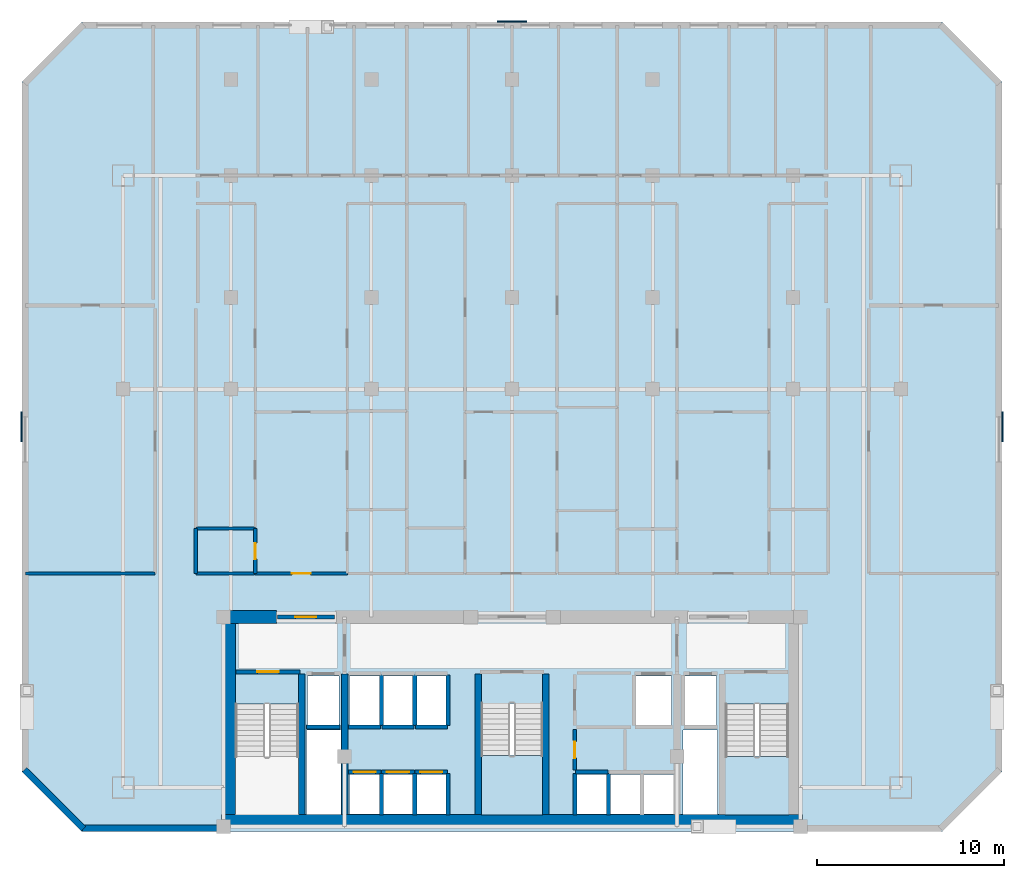
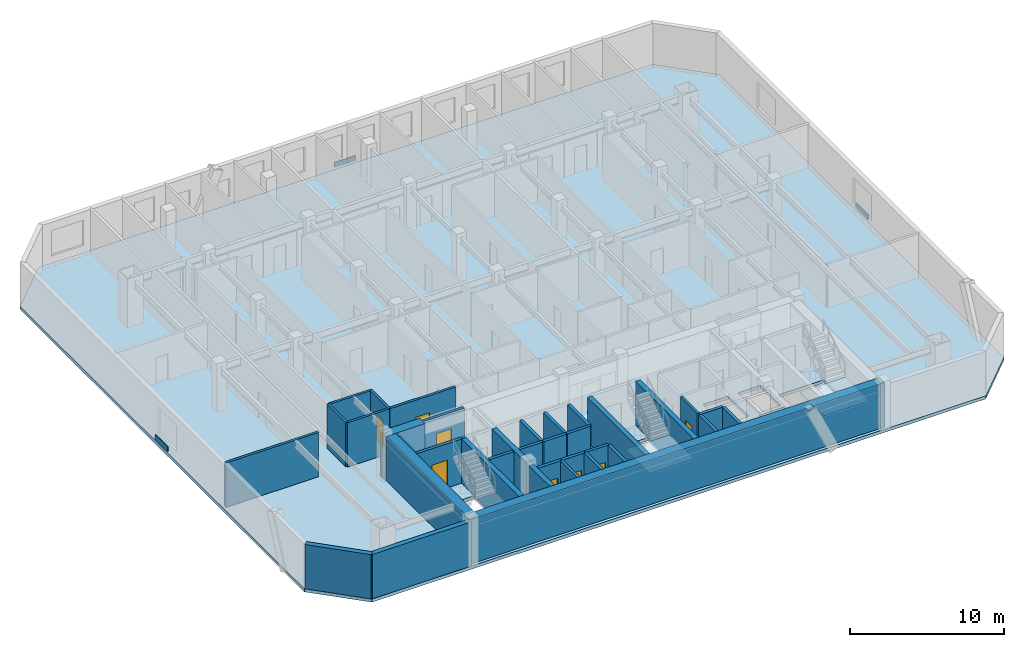
# One storey, part 2 of 8: 34 walls, 8 doors, 3 plates, 3 slabs, 8 openings, 2 elements without a shape of their own.
"""IFC4 building model written with IfcOpenShell, lengths in metres."""

from ifc_helpers import new_model, si_unit, direction, frame, frame_2d, origin, origin_2d, place, context, subcontext, project, spatial, polyline, rectangle, outline, extrude, material, layer, layer_set, type_object, element, fill, aggregate, save


model = new_model("IFC4")

# Units and contexts
model_context = context("Model", 3, precision=1e-05, world=origin(), true_north=direction((0.0, 1.0)))
body_context = subcontext(model_context, "Body", "Model", "MODEL_VIEW")
ifc_project = project(units=[si_unit("LENGTHUNIT", "METRE"), si_unit("AREAUNIT", "SQUARE_METRE"), si_unit("VOLUMEUNIT", "CUBIC_METRE"), si_unit("PLANEANGLEUNIT", "RADIAN"), si_unit("MASSUNIT", "GRAM", prefix="KILO")], contexts=[model_context])

# Site, building, storey
site_placement = place(None, origin())
site = spatial("IfcSite", under=ifc_project, at=site_placement, CompositionType="ELEMENT")
building_placement = place(site_placement, origin())
building = spatial("IfcBuilding", under=site, at=building_placement, Name="Ventersveld Concourse Tower", CompositionType="ELEMENT")
storey_placement = place(building_placement, frame((0.0, 0.0, 131.10009765625)))
storey = spatial("IfcBuildingStorey", under=building, at=storey_placement, Name="L32", CompositionType="ELEMENT", Elevation=131.10009765625)

# Plates
ifc_material_1 = material(Name="Precast concrete C45/55", Category="concrete")
ifc_layer_1 = layer(ifc_material_1, 0.080078125)
ifc_layer_set_1 = layer_set([ifc_layer_1], Name="Precast concrete C45/55")
plate_type = type_object("IfcPlateType", Name="PL-SPAND-80", PredefinedType="SHEET", material=ifc_layer_set_1)
for number, where, z_axis, x_axis, name in (
    (1, (54.919921875, 21.60009765625, 0.169921875), (0.0, 0.0, 1.0), (0.0, 1.0, 0.0), "L32 Litema Bas-Relief Precast Spandrel Cassette 1"),
    (2, (28.75, 43.219970703125, 0.169921875), (0.0, 0.0, 1.0), (-1.0, 0.0, 0.0), "L32 Litema Bas-Relief Precast Spandrel Cassette 1"),
    (3, (2.580078125, 21.60009765625, 0.169921875), (0.0, 0.0, 1.0), (0.0, -1.0, 0.0), "L32 Litema Bas-Relief Precast Spandrel Cassette 1"),
):
    element("IfcPlate", number, at=place(storey_placement, frame(where, z_axis=z_axis, x_axis=x_axis)), inside=storey, type_object=plate_type, Name=name, PredefinedType="SHEET", context=body_context, shape_type="SweptSolid", body=[
        extrude(rectangle(XDim=1.60009765625, YDim=0.080078125, at=origin_2d()), origin(), (0.0, 0.0, 1.0), 0.3798828125),
    ])

# Slab
ifc_material_2 = material(Name="Concrete C50/60", Category="concrete")
ifc_layer_2 = layer(ifc_material_2, 0.25)
ifc_layer_set_2 = layer_set([ifc_layer_2], Name="Concrete C50/60")
slab_type_1 = type_object("IfcSlabType", Name="SL-FLR-250", PredefinedType="FLOOR", material=ifc_layer_set_2)
slab_1_placement = place(storey_placement, frame((0.0, 0.0, -0.25)))
element("IfcSlab", 4, at=slab_1_placement, inside=storey, type_object=slab_type_1, Name="L32 Composite Floor Slab", PredefinedType="FLOOR", context=body_context, shape_type="SweptSolid", body=[
    extrude(outline(polyline([(5.800048828125, 0.0), (51.699951171875, 0.0), (54.89990234375, 3.199951171875), (54.89990234375, 40.0), (51.699951171875, 43.199951171875), (5.800048828125, 43.199951171875), (2.60009765625, 40.0), (2.60009765625, 3.199951171875), (5.800048828125, 0.0)]), holes=[polyline([(13.97998046875, 6.794921875), (13.97998046875, 0.89990234375), (17.3798828125, 0.89990234375), (17.3798828125, 6.794921875), (13.97998046875, 6.794921875)]), polyline([(40.1201171875, 6.794921875), (40.1201171875, 0.89990234375), (43.52001953125, 0.89990234375), (43.52001953125, 6.794921875), (40.1201171875, 6.794921875)]), polyline([(27.10009765625, 6.844970703125), (27.10009765625, 0.89990234375), (30.39990234375, 0.89990234375), (30.39990234375, 6.844970703125), (27.10009765625, 6.844970703125)]), polyline([(17.85009765625, 5.699951171875), (19.530029296875, 5.699951171875), (19.530029296875, 8.300048828125), (17.85009765625, 8.300048828125), (17.85009765625, 5.699951171875)]), polyline([(37.969970703125, 5.699951171875), (39.64990234375, 5.699951171875), (39.64990234375, 8.300048828125), (37.969970703125, 8.300048828125), (37.969970703125, 5.699951171875)]), polyline([(35.35009765625, 5.699951171875), (37.25, 5.699951171875), (37.25, 8.300048828125), (35.35009765625, 8.300048828125), (35.35009765625, 5.699951171875)]), polyline([(20.090087890625, 0.949951171875), (21.68994140625, 0.949951171875), (21.68994140625, 3.050048828125), (20.090087890625, 3.050048828125), (20.090087890625, 0.949951171875)]), polyline([(21.8701171875, 0.949951171875), (23.469970703125, 0.949951171875), (23.469970703125, 3.050048828125), (21.8701171875, 3.050048828125), (21.8701171875, 0.949951171875)]), polyline([(23.64990234375, 0.949951171875), (25.25, 0.949951171875), (25.25, 3.050048828125), (23.64990234375, 3.050048828125), (23.64990234375, 0.949951171875)]), polyline([(32.2099609375, 0.949951171875), (33.81005859375, 0.949951171875), (33.81005859375, 3.050048828125), (32.2099609375, 3.050048828125), (32.2099609375, 0.949951171875)]), polyline([(33.989990234375, 0.949951171875), (35.590087890625, 0.949951171875), (35.590087890625, 3.050048828125), (33.989990234375, 3.050048828125), (33.989990234375, 0.949951171875)]), polyline([(35.77001953125, 0.949951171875), (37.3701171875, 0.949951171875), (37.3701171875, 3.050048828125), (35.77001953125, 3.050048828125), (35.77001953125, 0.949951171875)]), polyline([(20.090087890625, 5.699951171875), (21.68994140625, 5.699951171875), (21.68994140625, 8.300048828125), (20.090087890625, 8.300048828125), (20.090087890625, 5.699951171875)]), polyline([(21.8701171875, 5.699951171875), (23.469970703125, 5.699951171875), (23.469970703125, 8.300048828125), (21.8701171875, 8.300048828125), (21.8701171875, 5.699951171875)]), polyline([(23.64990234375, 5.699951171875), (25.25, 5.699951171875), (25.25, 8.300048828125), (23.64990234375, 8.300048828125), (23.64990234375, 5.699951171875)]), polyline([(17.780029296875, 0.919921875), (19.6201171875, 0.919921875), (19.6201171875, 5.419921875), (17.780029296875, 5.419921875), (17.780029296875, 0.919921875)]), polyline([(37.8798828125, 0.919921875), (39.719970703125, 0.919921875), (39.719970703125, 5.419921875), (37.8798828125, 5.419921875), (37.8798828125, 0.919921875)])]), origin(), (0.0, 0.0, 1.0), 0.25),
])

# Stair, slab
stair_type_1 = type_object("IfcStairType", Name="ST-DOG-160", PredefinedType="HALF_TURN_STAIR", material=ifc_material_2)
stair_1_placement = place(storey_placement, origin())
stair_1 = element("IfcStair", 5, at=stair_1_placement, inside=storey, type_object=stair_type_1, Name="L32 Protected Tower Escape Stair ST-02", PredefinedType="HALF_TURN_STAIR")
ifc_layer_3 = layer(ifc_material_2, 0.199951171875)
ifc_layer_set_3 = layer_set([ifc_layer_3], Name="Concrete C50/60")
slab_type_2 = type_object("IfcSlabType", Name="SL-LND-200", PredefinedType="LANDING", material=ifc_layer_set_3)
slab_2_placement = place(storey_placement, frame((0.0, 0.0, 1.724853515625)))
slab_2 = element("IfcSlab", 6, at=slab_2_placement, type_object=slab_type_2, Name="ST-02 landing 1", PredefinedType="LANDING", context=body_context, shape_type="SweptSolid", body=[
    extrude(outline(polyline([(40.1201171875, 4.0), (40.1201171875, 0.89990234375), (43.52001953125, 0.89990234375), (43.52001953125, 4.0), (40.1201171875, 4.0)])), origin(), (0.0, 0.0, 1.0), 0.199951171875),
])
aggregate(stair_1, [slab_2])

stair_type_2 = type_object("IfcStairType", Name="ST-DOG-155", PredefinedType="HALF_TURN_STAIR", material=ifc_material_2)
stair_2_placement = place(storey_placement, origin())
stair_2 = element("IfcStair", 7, at=stair_2_placement, inside=storey, type_object=stair_type_2, Name="L32 Protected Central Core Escape Stair ST-03", PredefinedType="HALF_TURN_STAIR")
slab_3_placement = place(storey_placement, frame((0.0, 0.0, 1.724853515625)))
slab_3 = element("IfcSlab", 8, at=slab_3_placement, type_object=slab_type_2, Name="ST-03 landing 1", PredefinedType="LANDING", context=body_context, shape_type="SweptSolid", body=[
    extrude(outline(polyline([(27.10009765625, 4.050048828125), (27.10009765625, 0.89990234375), (30.39990234375, 0.89990234375), (30.39990234375, 4.050048828125), (27.10009765625, 4.050048828125)])), origin(), (0.0, 0.0, 1.0), 0.199951171875),
])
aggregate(stair_2, [slab_3])

# Walls
ifc_material_3 = material(Name="Concrete C60/75", Category="concrete")
ifc_layer_4 = layer(ifc_material_3, 0.35009765625)
ifc_layer_set_4 = layer_set([ifc_layer_4], Name="Concrete C60/75")
wall_type_1 = type_object("IfcWallType", Name="WL-CORE-350L", PredefinedType="SHEAR", material=ifc_layer_set_4)
for number, where, z_axis, x_axis, name in (
    (9, (17.5400390625, 0.919921875, 0.0), (0.0, 0.0, 1.0), (0.0, 1.0, 0.0), "L32 Core Internal Shear Web W-ST1-E"),
    (10, (19.820068359375, 0.919921875, 0.0), (0.0, 0.0, 1.0), (0.0, 1.0, 0.0), "L32 Core Internal Shear Web W-FF1-E"),
    (11, (26.93994140625, 0.919921875, 0.0), (0.0, 0.0, 1.0), (0.0, 1.0, 0.0), "L32 Core Internal Shear Web W-ST3-W"),
    (12, (30.56005859375, 0.919921875, 0.0), (0.0, 0.0, 1.0), (0.0, 1.0, 0.0), "L32 Core Internal Shear Web W-ST3-E"),
):
    element("IfcWall", number, at=place(storey_placement, frame(where, z_axis=z_axis, x_axis=x_axis)), inside=storey, type_object=wall_type_1, Name=name, PredefinedType="SHEAR", context=body_context, shape_type="SweptSolid", body=[
        extrude(rectangle(XDim=7.5, YDim=0.35009765625, at=frame_2d((3.75, 0.0))), origin(), (0.0, 0.0, 1.0), 3.5),
    ])
ifc_layer_5 = layer(ifc_material_3, 0.699951171875)
ifc_layer_set_5 = layer_set([ifc_layer_5], Name="Concrete C60/75")
wall_type_2 = type_object("IfcWallType", Name="WL-CORE-700", PredefinedType="SHEAR", material=ifc_layer_set_5)
wall_1_placement = place(storey_placement, frame((13.25, 0.570068359375, 0.0), z_axis=(0.0, 0.0, 1.0), x_axis=(1.0, 0.0, 0.0)))
element("IfcWall", 13, at=wall_1_placement, inside=storey, type_object=wall_type_2, Name="L32 Rear Core South Shear Wall", PredefinedType="SHEAR", context=body_context, shape_type="SweptSolid", body=[
    extrude(rectangle(XDim=31.0, YDim=0.699951171875, at=frame_2d((15.5, 0.0))), origin(), (0.0, 0.0, 1.0), 3.5),
])
wall_2_placement = place(storey_placement, frame((13.64990234375, 0.919921875, 0.0), z_axis=(0.0, 0.0, 1.0), x_axis=(0.0, 1.0, 0.0)))
element("IfcWall", 14, at=wall_2_placement, inside=storey, type_object=wall_type_2, Name="L32 Rear Core West Shear Wall", PredefinedType="SHEAR", context=body_context, shape_type="SweptSolid", body=[
    extrude(rectangle(XDim=10.530029296875, YDim=0.699951171875, at=frame_2d((5.26513671875, 0.0))), origin(), (0.0, 0.0, 1.0), 3.5),
])
wall_3_placement = place(storey_placement, frame((13.25, 11.449951171875, 0.0), z_axis=(0.0, 0.0, 1.0), x_axis=(1.0, 0.0, 0.0)))
element("IfcWall", 15, at=wall_3_placement, inside=storey, type_object=wall_type_2, Name="L32 Rear Core North Shear Wall NW", PredefinedType="SHEAR", context=body_context, shape_type="SweptSolid", body=[
    extrude(rectangle(XDim=2.949951171875, YDim=0.699951171875, at=frame_2d((1.47509765625, 0.0))), origin(), (0.0, 0.0, 1.0), 3.5),
])

# Wall, opening, door
ifc_material_4 = material(Name="Fire-rated autoclaved aerated masonry blockwork", Category="masonry")
ifc_layer_6 = layer(ifc_material_4, 0.179931640625)
ifc_layer_set_6 = layer_set([ifc_layer_6], Name="Fire-rated autoclaved aerated masonry blockwork")
wall_type_3 = type_object("IfcWallType", Name="WL-CORR-180", PredefinedType="PARTITIONING", material=ifc_layer_set_6)
wall_4_placement = place(storey_placement, frame((32.10009765625, 3.280029296875, 0.0), z_axis=(0.0, 0.0, 1.0), x_axis=(0.0, 1.0, 0.0)))
wall_4 = element("IfcWall", 16, at=wall_4_placement, inside=storey, type_object=wall_type_3, Name="L32 Core Passage Wall SP-L32-CBAY2", PredefinedType="PARTITIONING", context=body_context, shape_type="SweptSolid", body=[
    extrude(rectangle(XDim=2.169921875, YDim=0.179931640625, at=frame_2d((1.0849609375, 0.0))), origin(), (0.0, 0.0, 1.0), 3.5),
])
opening_1_placement = place(wall_4_placement, frame((0.64501953125, 0.0, 0.0)))
opening_1 = element("IfcOpeningElement", 17, at=opening_1_placement, cuts=wall_4, Name="Opening FD5", PredefinedType="OPENING", context=body_context, shape_type="SweptSolid", body=[
    extrude(rectangle(XDim=0.8798828125, YDim=2.050048828125, at=frame_2d((0.43994140625, 1.02490234375))), frame((0.0, 0.10009765625, 0.0), z_axis=(0.0, -1.0, 0.0), x_axis=(1.0, 0.0, 0.0)), (0.0, 0.0, 1.0), 0.199951171875),
])
ifc_material_5 = material(Name="Galvanised painted steel", Category="steel")
door_type_1 = type_object("IfcDoorType", Name="DR-RISER-088", OperationType="NOTDEFINED", PredefinedType="DOOR", material=ifc_material_5)
door_1_placement = place(opening_1_placement, origin())
door_1 = element("IfcDoor", 18, at=door_1_placement, inside=storey, type_object=door_type_1, Name="L32 Core Room Door L32 Core Beverage Pantry (CD-L32-1593)", OperationType="SINGLE_SWING_RIGHT", OverallHeight=2.050048828125, OverallWidth=0.8798828125, PredefinedType="DOOR", context=body_context, shape_type="SweptSolid", body=[
    extrude(rectangle(XDim=0.8798828125, YDim=2.050048828125, at=frame_2d((0.43994140625, 1.02490234375))), frame((0.0, 0.02490234375, 0.0), z_axis=(0.0, -1.0, 0.0), x_axis=(1.0, 0.0, 0.0)), (0.0, 0.0, 1.0), 0.050048828125),
])
fill(opening_1, door_1)

# Wall
wall_5_placement = place(storey_placement, frame((2.81005859375, 13.77001953125, 0.0), z_axis=(0.0, 0.0, 1.0), x_axis=(1.0, 0.0, 0.0)))
element("IfcWall", 19, at=wall_5_placement, inside=storey, type_object=wall_type_3, Name="L32 Interior Partition SP-L32-COR-SP-L32-NWLNG1", PredefinedType="PARTITIONING", context=body_context, shape_type="SweptSolid", body=[
    extrude(rectangle(XDim=6.905029296875, YDim=0.179931640625, at=frame_2d((3.45263671875, 0.0))), origin(), (0.0, 0.0, 1.0), 3.5),
])

# Wall, opening, door
wall_6_placement = place(storey_placement, frame((15.05126953125, 13.77001953125, 0.0), z_axis=(0.0, 0.0, 1.0), x_axis=(1.0, 0.0, 0.0)))
wall_6 = element("IfcWall", 20, at=wall_6_placement, inside=storey, type_object=wall_type_3, Name="L32 Interior Partition SP-L32-COR-SP-L32-32N1-FOY", PredefinedType="PARTITIONING", context=body_context, shape_type="SweptSolid", body=[
    extrude(rectangle(XDim=4.91748046875, YDim=0.179931640625, at=frame_2d((2.458740234375, 0.0))), origin(), (0.0, 0.0, 1.0), 3.5),
])
opening_2_placement = place(wall_6_placement, frame((1.958740234375, 0.0, 0.0)))
opening_2 = element("IfcOpeningElement", 21, at=opening_2_placement, cuts=wall_6, Name="Opening FD3", PredefinedType="OPENING", context=body_context, shape_type="SweptSolid", body=[
    extrude(rectangle(XDim=1.0, YDim=2.14990234375, at=frame_2d((0.5, 1.074951171875))), frame((0.0, 0.10009765625, 0.0), z_axis=(0.0, -1.0, 0.0), x_axis=(1.0, 0.0, 0.0)), (0.0, 0.0, 1.0), 0.199951171875),
])
ifc_material_6 = material(Name="Solid-core hardwood veneer timber", Category="wood")
door_type_2 = type_object("IfcDoorType", Name="DR-FLAT-100", OperationType="NOTDEFINED", PredefinedType="DOOR", material=ifc_material_6)
door_2_placement = place(opening_2_placement, origin())
door_2 = element("IfcDoor", 22, at=door_2_placement, inside=storey, type_object=door_type_2, Name="L32 Interior Door SP-L32-COR to SP-L32-32N1-FOY (FD-L32-1596)", OperationType="SINGLE_SWING_RIGHT", OverallHeight=2.14990234375, OverallWidth=1.0, PredefinedType="DOOR", context=body_context, shape_type="SweptSolid", body=[
    extrude(rectangle(XDim=1.0, YDim=2.14990234375, at=frame_2d((0.5, 1.074951171875))), frame((0.0, 0.02490234375, 0.0), z_axis=(0.0, -1.0, 0.0), x_axis=(1.0, 0.0, 0.0)), (0.0, 0.0, 1.0), 0.050048828125),
])
fill(opening_2, door_2)

# Walls
wall_7_placement = place(storey_placement, frame((11.885009765625, 13.77001953125, 0.0), z_axis=(0.0, 0.0, 1.0), x_axis=(1.0, 0.0, 0.0)))
element("IfcWall", 23, at=wall_7_placement, inside=storey, type_object=wall_type_3, Name="L32 Interior Partition SP-L32-COR-SP-L32-32N1-BATH", PredefinedType="PARTITIONING", context=body_context, shape_type="SweptSolid", body=[
    extrude(rectangle(XDim=3.13623046875, YDim=0.179931640625, at=frame_2d((1.568115234375, 0.0))), origin(), (0.0, 0.0, 1.0), 3.5),
])
wall_8_placement = place(storey_placement, frame((11.889892578125, 13.764892578125, 0.0), z_axis=(0.0, 0.0, 1.0), x_axis=(0.0, 1.0, 0.0)))
element("IfcWall", 24, at=wall_8_placement, inside=storey, type_object=wall_type_3, Name="L32 Interior Partition SP-L32-COR-SP-L32-32N1-BATH", PredefinedType="PARTITIONING", context=body_context, shape_type="SweptSolid", body=[
    extrude(rectangle(XDim=2.400390625, YDim=0.179931640625, at=frame_2d((1.2001953125, 0.0))), origin(), (0.0, 0.0, 1.0), 3.5),
])
ifc_layer_7 = layer(ifc_material_4, 0.219970703125)
ifc_layer_set_7 = layer_set([ifc_layer_7], Name="Fire-rated autoclaved aerated masonry blockwork")
wall_type_4 = type_object("IfcWallType", Name="WL-HOIST-220", PredefinedType="SOLIDWALL", material=ifc_layer_set_7)
wall_9_placement = place(storey_placement, frame((17.800048828125, 5.590087890625, 0.0), z_axis=(0.0, 0.0, 1.0), x_axis=(1.0, 0.0, 0.0)))
element("IfcWall", 25, at=wall_9_placement, inside=storey, type_object=wall_type_4, Name="L32 Lift Hoistway Back Wall FFL-01", PredefinedType="SOLIDWALL", context=body_context, shape_type="SweptSolid", body=[
    extrude(rectangle(XDim=1.780029296875, YDim=0.219970703125, at=frame_2d((0.89013671875, 0.0))), origin(), (0.0, 0.0, 1.0), 3.5),
])
wall_10_placement = place(storey_placement, frame((21.780029296875, 0.89990234375, 0.0), z_axis=(0.0, 0.0, 1.0), x_axis=(0.0, 1.0, 0.0)))
element("IfcWall", 26, at=wall_10_placement, inside=storey, type_object=wall_type_4, Name="L32 Lift Hoistway Side Wall PL-01E", PredefinedType="SOLIDWALL", context=body_context, shape_type="SweptSolid", body=[
    extrude(rectangle(XDim=2.2001953125, YDim=0.219970703125, at=frame_2d((1.10009765625, 0.0))), origin(), (0.0, 0.0, 1.0), 3.5),
])

# Wall, opening, door
wall_11_placement = place(storey_placement, frame((20.02001953125, 3.179931640625, 0.0), z_axis=(0.0, 0.0, 1.0), x_axis=(1.0, 0.0, 0.0)))
wall_11 = element("IfcWall", 27, at=wall_11_placement, inside=storey, type_object=wall_type_4, Name="L32 Lift Hoistway Front Wall PL-01", PredefinedType="SOLIDWALL", context=body_context, shape_type="SweptSolid", body=[
    extrude(rectangle(XDim=1.739990234375, YDim=0.219970703125, at=frame_2d((0.8701171875, 0.0))), origin(), (0.0, 0.0, 1.0), 3.5),
])
opening_3_placement = place(wall_11_placement, frame((0.280029296875, 0.0, 0.0)))
opening_3 = element("IfcOpeningElement", 28, at=opening_3_placement, cuts=wall_11, Name="Opening LD2", PredefinedType="OPENING", context=body_context, shape_type="SweptSolid", body=[
    extrude(rectangle(XDim=1.179931640625, YDim=2.199951171875, at=frame_2d((0.58984375, 1.10009765625))), frame((0.0, 0.1201171875, 0.0), z_axis=(0.0, -1.0, 0.0), x_axis=(1.0, 0.0, 0.0)), (0.0, 0.0, 1.0), 0.239990234375),
])
ifc_material_7 = material(Name="Brushed stainless steel 316", Category="steel")
door_type_3 = type_object("IfcDoorType", Name="LD-PAX-118", OperationType="SLIDING_TO_LEFT", PredefinedType="DOOR", material=ifc_material_7)
door_3_placement = place(opening_3_placement, origin())
door_3 = element("IfcDoor", 29, at=door_3_placement, inside=storey, type_object=door_type_3, Name="L32 Lift landing door PL-01 (LD-L32-PL-01)", OperationType="SLIDING_TO_RIGHT", OverallHeight=2.199951171875, OverallWidth=1.179931640625, PredefinedType="DOOR", context=body_context, shape_type="SweptSolid", body=[
    extrude(rectangle(XDim=1.179931640625, YDim=2.199951171875, at=frame_2d((0.58984375, 1.10009765625))), frame((0.0, 0.02490234375, 0.0), z_axis=(0.0, -1.0, 0.0), x_axis=(1.0, 0.0, 0.0)), (0.0, 0.0, 1.0), 0.050048828125),
])
fill(opening_3, door_3)

# Wall
wall_12_placement = place(storey_placement, frame((23.56005859375, 0.89990234375, 0.0), z_axis=(0.0, 0.0, 1.0), x_axis=(0.0, 1.0, 0.0)))
element("IfcWall", 30, at=wall_12_placement, inside=storey, type_object=wall_type_4, Name="L32 Lift Hoistway Side Wall PL-02E", PredefinedType="SOLIDWALL", context=body_context, shape_type="SweptSolid", body=[
    extrude(rectangle(XDim=2.2001953125, YDim=0.219970703125, at=frame_2d((1.10009765625, 0.0))), origin(), (0.0, 0.0, 1.0), 3.5),
])

# Wall, opening, door
wall_13_placement = place(storey_placement, frame((21.800048828125, 3.179931640625, 0.0), z_axis=(0.0, 0.0, 1.0), x_axis=(1.0, 0.0, 0.0)))
wall_13 = element("IfcWall", 31, at=wall_13_placement, inside=storey, type_object=wall_type_4, Name="L32 Lift Hoistway Front Wall PL-02", PredefinedType="SOLIDWALL", context=body_context, shape_type="SweptSolid", body=[
    extrude(rectangle(XDim=1.739990234375, YDim=0.219970703125, at=frame_2d((0.8701171875, 0.0))), origin(), (0.0, 0.0, 1.0), 3.5),
])
opening_4_placement = place(wall_13_placement, frame((0.280029296875, 0.0, 0.0)))
opening_4 = element("IfcOpeningElement", 32, at=opening_4_placement, cuts=wall_13, Name="Opening LD2", PredefinedType="OPENING", context=body_context, shape_type="SweptSolid", body=[
    extrude(rectangle(XDim=1.179931640625, YDim=2.199951171875, at=frame_2d((0.58984375, 1.10009765625))), frame((0.0, 0.1201171875, 0.0), z_axis=(0.0, -1.0, 0.0), x_axis=(1.0, 0.0, 0.0)), (0.0, 0.0, 1.0), 0.239990234375),
])
door_4_placement = place(opening_4_placement, origin())
door_4 = element("IfcDoor", 33, at=door_4_placement, inside=storey, type_object=door_type_3, Name="L32 Lift landing door PL-02 (LD-L32-PL-02)", OperationType="SLIDING_TO_LEFT", OverallHeight=2.199951171875, OverallWidth=1.179931640625, PredefinedType="DOOR", context=body_context, shape_type="SweptSolid", body=[
    extrude(rectangle(XDim=1.179931640625, YDim=2.199951171875, at=frame_2d((0.58984375, 1.10009765625))), frame((0.0, 0.02490234375, 0.0), z_axis=(0.0, -1.0, 0.0), x_axis=(1.0, 0.0, 0.0)), (0.0, 0.0, 1.0), 0.050048828125),
])
fill(opening_4, door_4)

# Wall
wall_14_placement = place(storey_placement, frame((25.340087890625, 0.89990234375, 0.0), z_axis=(0.0, 0.0, 1.0), x_axis=(0.0, 1.0, 0.0)))
element("IfcWall", 34, at=wall_14_placement, inside=storey, type_object=wall_type_4, Name="L32 Lift Hoistway Side Wall PL-03E", PredefinedType="SOLIDWALL", context=body_context, shape_type="SweptSolid", body=[
    extrude(rectangle(XDim=2.2001953125, YDim=0.219970703125, at=frame_2d((1.10009765625, 0.0))), origin(), (0.0, 0.0, 1.0), 3.5),
])

# Wall, opening, door
wall_15_placement = place(storey_placement, frame((23.580078125, 3.179931640625, 0.0), z_axis=(0.0, 0.0, 1.0), x_axis=(1.0, 0.0, 0.0)))
wall_15 = element("IfcWall", 35, at=wall_15_placement, inside=storey, type_object=wall_type_4, Name="L32 Lift Hoistway Front Wall PL-03", PredefinedType="SOLIDWALL", context=body_context, shape_type="SweptSolid", body=[
    extrude(rectangle(XDim=1.739990234375, YDim=0.219970703125, at=frame_2d((0.8701171875, 0.0))), origin(), (0.0, 0.0, 1.0), 3.5),
])
opening_5_placement = place(wall_15_placement, frame((0.280029296875, 0.0, 0.0)))
opening_5 = element("IfcOpeningElement", 36, at=opening_5_placement, cuts=wall_15, Name="Opening LD2", PredefinedType="OPENING", context=body_context, shape_type="SweptSolid", body=[
    extrude(rectangle(XDim=1.179931640625, YDim=2.199951171875, at=frame_2d((0.58984375, 1.10009765625))), frame((0.0, 0.1201171875, 0.0), z_axis=(0.0, -1.0, 0.0), x_axis=(1.0, 0.0, 0.0)), (0.0, 0.0, 1.0), 0.239990234375),
])
door_5_placement = place(opening_5_placement, origin())
door_5 = element("IfcDoor", 37, at=door_5_placement, inside=storey, type_object=door_type_3, Name="L32 Lift landing door PL-03 (LD-L32-PL-03)", OperationType="SLIDING_TO_RIGHT", OverallHeight=2.199951171875, OverallWidth=1.179931640625, PredefinedType="DOOR", context=body_context, shape_type="SweptSolid", body=[
    extrude(rectangle(XDim=1.179931640625, YDim=2.199951171875, at=frame_2d((0.58984375, 1.10009765625))), frame((0.0, 0.02490234375, 0.0), z_axis=(0.0, -1.0, 0.0), x_axis=(1.0, 0.0, 0.0)), (0.0, 0.0, 1.0), 0.050048828125),
])
fill(opening_5, door_5)

# Walls
for number, where, z_axis, x_axis, name in (
    (38, (32.1201171875, 0.89990234375, 0.0), (0.0, 0.0, 1.0), (0.0, 1.0, 0.0), "L32 Lift Hoistway Side Wall PM-01W"),
    (39, (33.89990234375, 0.89990234375, 0.0), (0.0, 0.0, 1.0), (0.0, 1.0, 0.0), "L32 Lift Hoistway Side Wall PM-01E"),
):
    element("IfcWall", number, at=place(storey_placement, frame(where, z_axis=z_axis, x_axis=x_axis)), inside=storey, type_object=wall_type_4, Name=name, PredefinedType="SOLIDWALL", context=body_context, shape_type="SweptSolid", body=[
        extrude(rectangle(XDim=2.2001953125, YDim=0.219970703125, at=frame_2d((1.10009765625, 0.0))), origin(), (0.0, 0.0, 1.0), 3.5),
    ])
wall_16_placement = place(storey_placement, frame((32.139892578125, 3.179931640625, 0.0), z_axis=(0.0, 0.0, 1.0), x_axis=(1.0, 0.0, 0.0)))
element("IfcWall", 40, at=wall_16_placement, inside=storey, type_object=wall_type_4, Name="L32 Lift Hoistway Front Wall PM-01", PredefinedType="SOLIDWALL", context=body_context, shape_type="SweptSolid", body=[
    extrude(rectangle(XDim=1.739990234375, YDim=0.219970703125, at=frame_2d((0.8701171875, 0.0))), origin(), (0.0, 0.0, 1.0), 3.5),
])
wall_17_placement = place(storey_placement, frame((20.0400390625, 5.590087890625, 0.0), z_axis=(0.0, 0.0, 1.0), x_axis=(1.0, 0.0, 0.0)))
element("IfcWall", 41, at=wall_17_placement, inside=storey, type_object=wall_type_4, Name="L32 Lift Hoistway Back Wall PH-01", PredefinedType="SOLIDWALL", context=body_context, shape_type="SweptSolid", body=[
    extrude(rectangle(XDim=1.699951171875, YDim=0.219970703125, at=frame_2d((0.85009765625, 0.0))), origin(), (0.0, 0.0, 1.0), 3.5),
])
wall_18_placement = place(storey_placement, frame((21.780029296875, 5.64990234375, 0.0), z_axis=(0.0, 0.0, 1.0), x_axis=(0.0, 1.0, 0.0)))
element("IfcWall", 42, at=wall_18_placement, inside=storey, type_object=wall_type_4, Name="L32 Lift Hoistway Side Wall PH-01E", PredefinedType="SOLIDWALL", context=body_context, shape_type="SweptSolid", body=[
    extrude(rectangle(XDim=2.7001953125, YDim=0.219970703125, at=frame_2d((1.35009765625, 0.0))), origin(), (0.0, 0.0, 1.0), 3.5),
])
wall_19_placement = place(storey_placement, frame((21.820068359375, 5.590087890625, 0.0), z_axis=(0.0, 0.0, 1.0), x_axis=(1.0, 0.0, 0.0)))
element("IfcWall", 43, at=wall_19_placement, inside=storey, type_object=wall_type_4, Name="L32 Lift Hoistway Back Wall PH-02", PredefinedType="SOLIDWALL", context=body_context, shape_type="SweptSolid", body=[
    extrude(rectangle(XDim=1.699951171875, YDim=0.219970703125, at=frame_2d((0.85009765625, 0.0))), origin(), (0.0, 0.0, 1.0), 3.5),
])
wall_20_placement = place(storey_placement, frame((23.56005859375, 5.64990234375, 0.0), z_axis=(0.0, 0.0, 1.0), x_axis=(0.0, 1.0, 0.0)))
element("IfcWall", 44, at=wall_20_placement, inside=storey, type_object=wall_type_4, Name="L32 Lift Hoistway Side Wall PH-02E", PredefinedType="SOLIDWALL", context=body_context, shape_type="SweptSolid", body=[
    extrude(rectangle(XDim=2.7001953125, YDim=0.219970703125, at=frame_2d((1.35009765625, 0.0))), origin(), (0.0, 0.0, 1.0), 3.5),
])
wall_21_placement = place(storey_placement, frame((23.60009765625, 5.590087890625, 0.0), z_axis=(0.0, 0.0, 1.0), x_axis=(1.0, 0.0, 0.0)))
element("IfcWall", 45, at=wall_21_placement, inside=storey, type_object=wall_type_4, Name="L32 Lift Hoistway Back Wall PH-03", PredefinedType="SOLIDWALL", context=body_context, shape_type="SweptSolid", body=[
    extrude(rectangle(XDim=1.699951171875, YDim=0.219970703125, at=frame_2d((0.85009765625, 0.0))), origin(), (0.0, 0.0, 1.0), 3.5),
])
wall_22_placement = place(storey_placement, frame((25.340087890625, 5.64990234375, 0.0), z_axis=(0.0, 0.0, 1.0), x_axis=(0.0, 1.0, 0.0)))
element("IfcWall", 46, at=wall_22_placement, inside=storey, type_object=wall_type_4, Name="L32 Lift Hoistway Side Wall PH-03E", PredefinedType="SOLIDWALL", context=body_context, shape_type="SweptSolid", body=[
    extrude(rectangle(XDim=2.7001953125, YDim=0.219970703125, at=frame_2d((1.35009765625, 0.0))), origin(), (0.0, 0.0, 1.0), 3.5),
])

# Wall, opening, door
wall_23_placement = place(storey_placement, frame((14.0400390625, 8.52001953125, 0.0), z_axis=(0.0, 0.0, 1.0), x_axis=(1.0, 0.0, 0.0)))
wall_23 = element("IfcWall", 47, at=wall_23_placement, inside=storey, type_object=wall_type_4, Name="L32 Escape Stair ST01 Fire Wall", PredefinedType="SOLIDWALL", context=body_context, shape_type="SweptSolid", body=[
    extrude(rectangle(XDim=3.39990234375, YDim=0.219970703125, at=frame_2d((1.699951171875, 0.0))), origin(), (0.0, 0.0, 1.0), 3.5),
])
opening_6_placement = place(wall_23_placement, frame((1.125, 0.0, 0.0)))
opening_6 = element("IfcOpeningElement", 48, at=opening_6_placement, cuts=wall_23, Name="Opening FD1", PredefinedType="OPENING", context=body_context, shape_type="SweptSolid", body=[
    extrude(rectangle(XDim=1.14990234375, YDim=2.199951171875, at=frame_2d((0.574951171875, 1.10009765625))), frame((0.0, 0.1201171875, 0.0), z_axis=(0.0, -1.0, 0.0), x_axis=(1.0, 0.0, 0.0)), (0.0, 0.0, 1.0), 0.239990234375),
])
door_type_4 = type_object("IfcDoorType", Name="DR-STAIR-115", OperationType="NOTDEFINED", PredefinedType="DOOR", material=ifc_material_5)
door_6_placement = place(opening_6_placement, origin())
door_6 = element("IfcDoor", 49, at=door_6_placement, inside=storey, type_object=door_type_4, Name="L32 Escape Stair Door ST01 (SD-L32-1584)", OperationType="SINGLE_SWING_LEFT", OverallHeight=2.199951171875, OverallWidth=1.14990234375, PredefinedType="DOOR", context=body_context, shape_type="SweptSolid", body=[
    extrude(rectangle(XDim=1.14990234375, YDim=2.199951171875, at=frame_2d((0.574951171875, 1.10009765625))), frame((0.0, 0.02490234375, 0.0), z_axis=(0.0, -1.0, 0.0), x_axis=(1.0, 0.0, 0.0)), (0.0, 0.0, 1.0), 0.050048828125),
])
fill(opening_6, door_6)

wall_24_placement = place(storey_placement, frame((16.22998046875, 11.449951171875, 0.0), z_axis=(0.0, 0.0, 1.0), x_axis=(1.0, 0.0, 0.0)))
wall_24 = element("IfcWall", 50, at=wall_24_placement, inside=storey, type_object=wall_type_4, Name="L32 Core North Fire Portal FFLW-OUT", PredefinedType="SOLIDWALL", context=body_context, shape_type="SweptSolid", body=[
    extrude(rectangle(XDim=3.0400390625, YDim=0.219970703125, at=frame_2d((1.52001953125, 0.0))), origin(), (0.0, 0.0, 1.0), 3.5),
])
opening_7_placement = place(wall_24_placement, frame((0.969970703125, 0.0, 0.0)))
opening_7 = element("IfcOpeningElement", 51, at=opening_7_placement, cuts=wall_24, Name="Opening FD2", PredefinedType="OPENING", context=body_context, shape_type="SweptSolid", body=[
    extrude(rectangle(XDim=1.10009765625, YDim=2.199951171875, at=frame_2d((0.550048828125, 1.10009765625))), frame((0.0, 0.1201171875, 0.0), z_axis=(0.0, -1.0, 0.0), x_axis=(1.0, 0.0, 0.0)), (0.0, 0.0, 1.0), 0.239990234375),
])
door_type_5 = type_object("IfcDoorType", Name="DR-FFL-110", OperationType="NOTDEFINED", PredefinedType="DOOR", material=ifc_material_5)
door_7_placement = place(opening_7_placement, origin())
door_7 = element("IfcDoor", 52, at=door_7_placement, inside=storey, type_object=door_type_5, Name="L32 Core Lobby Fire Door FFLW-OUT (FD-L32-1589)", OperationType="SINGLE_SWING_RIGHT", OverallHeight=2.199951171875, OverallWidth=1.10009765625, PredefinedType="DOOR", context=body_context, shape_type="SweptSolid", body=[
    extrude(rectangle(XDim=1.10009765625, YDim=2.199951171875, at=frame_2d((0.550048828125, 1.10009765625))), frame((0.0, 0.02490234375, 0.0), z_axis=(0.0, -1.0, 0.0), x_axis=(1.0, 0.0, 0.0)), (0.0, 0.0, 1.0), 0.050048828125),
])
fill(opening_7, door_7)

# Walls
ifc_layer_8 = layer(ifc_material_1, 0.35009765625)
ifc_layer_set_8 = layer_set([ifc_layer_8], Name="Precast concrete C45/55")
wall_type_5 = type_object("IfcWallType", Name="WL-PREC-350", PredefinedType="SOLIDWALL", material=ifc_layer_set_8)
wall_25_placement = place(storey_placement, frame((5.840087890625, 0.179931640625, 0.0), z_axis=(0.0, 0.0, 1.0), x_axis=(1.0, 0.0, 0.0)))
element("IfcWall", 53, at=wall_25_placement, inside=storey, type_object=wall_type_5, Name="L32 South-West Flank Precast Wall", PredefinedType="SOLIDWALL", context=body_context, shape_type="SweptSolid", body=[
    extrude(rectangle(XDim=7.409912109375, YDim=0.35009765625, at=frame_2d((3.705078125, 0.0))), origin(), (0.0, 0.0, 1.0), 3.5),
])
wall_26_placement = place(storey_placement, frame((2.751953125, 3.29541015625, 0.0), z_axis=(0.0, 0.0, 1.0), x_axis=(0.707134240044, -0.707079321262, 0.0)))
element("IfcWall", 54, at=wall_26_placement, inside=storey, type_object=wall_type_5, Name="L32 Highveld Precast Facade Wall E08", PredefinedType="SOLIDWALL", context=body_context, shape_type="SweptSolid", body=[
    extrude(rectangle(XDim=4.445556640625, YDim=0.35009765625, at=frame_2d((2.22265625, 0.0))), origin(), (0.0, 0.0, 1.0), 3.5),
])

# Wall, opening, door
ifc_material_8 = material(Name="Autoclaved aerated masonry blockwork", Category="masonry")
ifc_layer_9 = layer(ifc_material_8, 0.1650390625)
ifc_layer_set_9 = layer_set([ifc_layer_9], Name="Autoclaved aerated masonry blockwork")
wall_type_6 = type_object("IfcWallType", Name="WL-WET-165", PredefinedType="PLUMBINGWALL", material=ifc_layer_set_9)
wall_27_placement = place(storey_placement, frame((15.05615234375, 13.764892578125, 0.0), z_axis=(0.0, 0.0, 1.0), x_axis=(0.0, 1.0, 0.0)))
wall_27 = element("IfcWall", 55, at=wall_27_placement, inside=storey, type_object=wall_type_6, Name="L32 Interior Partition SP-L32-32N1-FOY-SP-L32-32N1-BATH", PredefinedType="PLUMBINGWALL", context=body_context, shape_type="SweptSolid", body=[
    extrude(rectangle(XDim=2.400390625, YDim=0.1650390625, at=frame_2d((1.2001953125, 0.0))), origin(), (0.0, 0.0, 1.0), 3.5),
])
opening_8_placement = place(wall_27_placement, frame((0.775146484375, 0.0, 0.0)))
opening_8 = element("IfcOpeningElement", 56, at=opening_8_placement, cuts=wall_27, Name="Opening ID2", PredefinedType="OPENING", context=body_context, shape_type="SweptSolid", body=[
    extrude(rectangle(XDim=0.85009765625, YDim=2.10009765625, at=frame_2d((0.425048828125, 1.050048828125))), frame((0.0, 0.092529296875, 0.0), z_axis=(0.0, -1.0, 0.0), x_axis=(1.0, 0.0, 0.0)), (0.0, 0.0, 1.0), 0.18505859375),
])
door_type_6 = type_object("IfcDoorType", Name="DR-BATH-085", OperationType="NOTDEFINED", PredefinedType="DOOR", material=ifc_material_6)
door_8_placement = place(opening_8_placement, origin())
door_8 = element("IfcDoor", 57, at=door_8_placement, inside=storey, type_object=door_type_6, Name="L32 Interior Door SP-L32-32N1-FOY to SP-L32-32N1-BATH (D-L32-1602)", OperationType="SINGLE_SWING_RIGHT", OverallHeight=2.10009765625, OverallWidth=0.85009765625, PredefinedType="DOOR", context=body_context, shape_type="SweptSolid", body=[
    extrude(rectangle(XDim=0.85009765625, YDim=2.10009765625, at=frame_2d((0.425048828125, 1.050048828125))), frame((0.0, 0.02490234375, 0.0), z_axis=(0.0, -1.0, 0.0), x_axis=(1.0, 0.0, 0.0)), (0.0, 0.0, 1.0), 0.050048828125),
])
fill(opening_8, door_8)

# Wall
wall_28_placement = place(storey_placement, frame((11.885009765625, 16.16015625, 0.0), z_axis=(0.0, 0.0, 1.0), x_axis=(1.0, 0.0, 0.0)))
element("IfcWall", 58, at=wall_28_placement, inside=storey, type_object=wall_type_6, Name="L32 Interior Partition SP-L32-32N1-BATH-SP-L32-32N1-OFFL0", PredefinedType="PLUMBINGWALL", context=body_context, shape_type="SweptSolid", body=[
    extrude(rectangle(XDim=3.17626953125, YDim=0.1650390625, at=frame_2d((1.588134765625, 0.0))), origin(), (0.0, 0.0, 1.0), 3.5),
])

save(model, "model.ifc")
